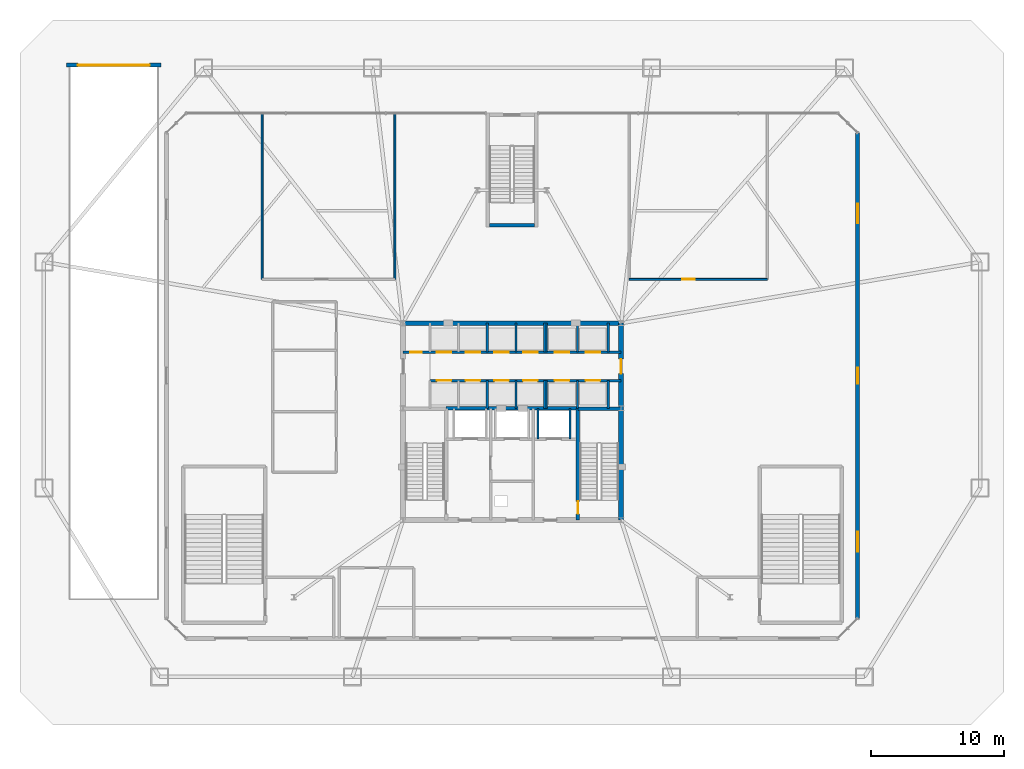
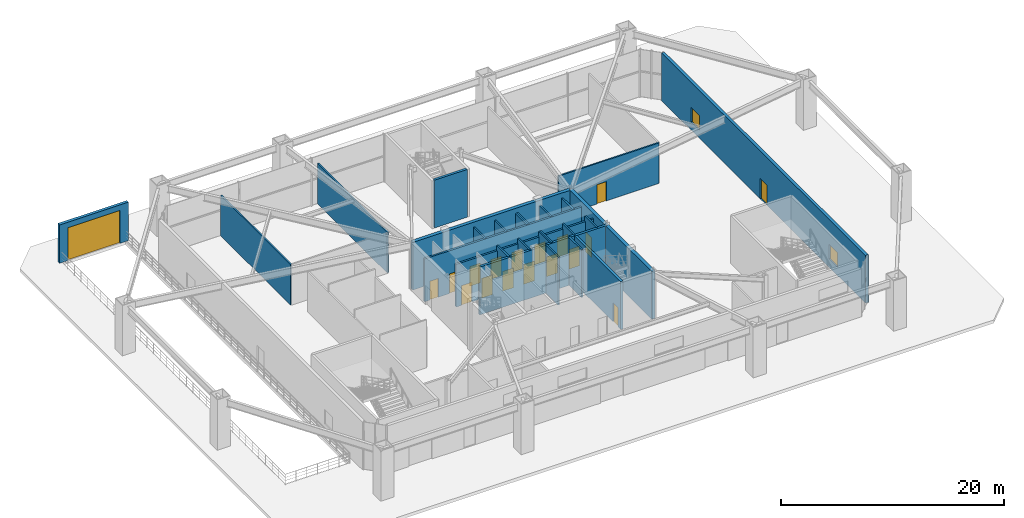
# One storey, part 16 of 20: 27 walls, 18 doors, 2 windows, 20 openings.
"""IFC4 building model written with IfcOpenShell, lengths in metres."""

import ifcopenshell
import ifcopenshell.guid

model = None  # the IFC model being written
_history = None  # IfcOwnerHistory: only IFC2X3 demands one
_inside = {}  # id of a spatial element -> (the spatial element, [elements in it])
_under = {}  # id of a project, library or spatial element -> (it, [spatial elements below it])
_declared = {}  # id of a project -> (the project, [libraries it declares])
_typed = {}  # id of a type object -> (the type object, [elements of that type])
_made_of = {}  # id of a material, layer set ... -> (it, [elements and type objects made of it])


def new_model(schema):
    """Start an empty IFC model of exactly this schema.

    Asked for "IFC4X3", IfcOpenShell would pick the latest addendum, in which some entities
    have other attributes; the version numbers below select the first issue.
    IFC2X3 requires an IfcOwnerHistory on every rooted entity: one is made here for all.
    """
    global model, _history
    if schema == "IFC4X3":
        model = ifcopenshell.file(schema_version=(4, 3, 0, 0))
    else:
        model = ifcopenshell.file(schema=schema)
    _inside.clear()
    _under.clear()
    _declared.clear()
    _typed.clear()
    _made_of.clear()
    _history = None
    if model.schema == "IFC2X3":
        org = make("IfcOrganization", Name="unknown")
        user = make(
            "IfcPersonAndOrganization",
            ThePerson=make("IfcPerson", FamilyName="unknown"),
            TheOrganization=org,
        )
        app = make(
            "IfcApplication",
            ApplicationDeveloper=org,
            Version="unknown",
            ApplicationFullName="unknown",
            ApplicationIdentifier="unknown",
        )
        _history = make(
            "IfcOwnerHistory",
            OwningUser=user,
            OwningApplication=app,
            ChangeAction="ADDED",
            CreationDate=0,
        )
    return model


def make(cls, **values):
    """One entity of the class cls with the attributes given. An attribute that is None is left unset."""
    return model.create_entity(
        cls, **{name: value for name, value in values.items() if value is not None}
    )


def rooted(cls, **values):
    """An entity with a GlobalId (a new one), such as an element, a storey or a relation."""
    return make(cls, GlobalId=ifcopenshell.guid.new(), OwnerHistory=_history, **values)


def si_unit(unit_type, name, prefix=None):
    """IfcSIUnit, for example si_unit("LENGTHUNIT", "METRE", prefix="MILLI")."""
    return make("IfcSIUnit", UnitType=unit_type, Prefix=prefix, Name=name)


def assignment(units):
    """IfcUnitAssignment: the units of a project."""
    return None if units is None else make("IfcUnitAssignment", Units=units)


def point(xyz):
    """IfcCartesianPoint."""
    return None if xyz is None else make("IfcCartesianPoint", Coordinates=xyz)


def direction(xyz):
    """IfcDirection."""
    return None if xyz is None else make("IfcDirection", DirectionRatios=xyz)


def frame(location, z_axis=None, x_axis=None):
    """IfcAxis2Placement3D, a coordinate frame: its origin and axes. An axis left out is left unset."""
    return make(
        "IfcAxis2Placement3D",
        Location=point(location),
        Axis=direction(z_axis),
        RefDirection=direction(x_axis),
    )


def frame_2d(location, x_axis=None):
    """IfcAxis2Placement2D, a coordinate frame in the plane: its origin and x axis."""
    return make(
        "IfcAxis2Placement2D", Location=point(location), RefDirection=direction(x_axis)
    )


def origin():
    """The frame at (0, 0, 0) with its axes left unset."""
    return frame((0.0, 0.0, 0.0))


def place(relative_to, where):
    """IfcLocalPlacement: puts the frame where relative to a parent placement (None: the world)."""
    return make(
        "IfcLocalPlacement", PlacementRelTo=relative_to, RelativePlacement=where
    )


def context(
    kind, dimensions, precision=None, world=None, true_north=None, identifier=None
):
    """IfcGeometricRepresentationContext, for example the 3D "Model" context."""
    return make(
        "IfcGeometricRepresentationContext",
        ContextIdentifier=identifier,
        ContextType=kind,
        CoordinateSpaceDimension=dimensions,
        Precision=precision,
        WorldCoordinateSystem=world,
        TrueNorth=true_north,
    )


def subcontext(parent, identifier, kind, view, scale=None):
    """IfcGeometricRepresentationSubContext, for example "Body" below "Model"."""
    return make(
        "IfcGeometricRepresentationSubContext",
        ContextIdentifier=identifier,
        ContextType=kind,
        ParentContext=parent,
        TargetScale=scale,
        TargetView=view,
    )


def project(units=None, contexts=None):
    """IfcProject with its units and contexts."""
    return rooted(
        "IfcProject",
        Name="project",
        RepresentationContexts=contexts,
        UnitsInContext=assignment(units),
    )


def spatial(cls, under=None, at=None, **own):
    """A site, building, storey or space (cls), placed at a placement, below another one or the project."""
    s = rooted(cls, ObjectPlacement=at, **own)
    if under is not None:
        _under.setdefault(under.id(), (under, []))[1].append(s)
    return s


def profile(cls, at=None, kind="AREA", **sizes):
    """A parametric profile (cls). Its sizes go by their IFC names, for example OverallWidth=200.0."""
    return make(cls, ProfileType=kind, Position=at, **sizes)


def rectangle(**sizes):
    """IfcRectangleProfileDef."""
    return profile("IfcRectangleProfileDef", **sizes)


def extrude(swept, where, along, depth):
    """IfcExtrudedAreaSolid: the profile swept, set in the frame where, extruded along a direction by depth."""
    return make(
        "IfcExtrudedAreaSolid",
        SweptArea=swept,
        Position=where,
        ExtrudedDirection=direction(along),
        Depth=depth,
    )


def shape(context_of_items, identifier, shape_type, items):
    """IfcShapeRepresentation: the items that make up one representation, for example the "Body"."""
    return make(
        "IfcShapeRepresentation",
        ContextOfItems=context_of_items,
        RepresentationIdentifier=identifier,
        RepresentationType=shape_type,
        Items=items,
    )


def material(Name=None, Category=None):
    """IfcMaterial."""
    return make("IfcMaterial", Name=Name, Category=Category)


def layer(
    of_material, thickness, ventilated=None, Name=None, Category=None, Priority=None
):
    """IfcMaterialLayer: one layer of a wall or slab, of a material (None: an air gap)."""
    return make(
        "IfcMaterialLayer",
        Material=of_material,
        LayerThickness=thickness,
        IsVentilated=ventilated,
        Name=Name,
        Category=Category,
        Priority=Priority,
    )


def layer_set(layers, Name=None):
    """IfcMaterialLayerSet."""
    return make("IfcMaterialLayerSet", MaterialLayers=layers, LayerSetName=Name)


def made_of(thing, what):
    """Note that an element or type object is made of a material, layer set ...; save() writes the relation."""
    if what is not None:
        _made_of.setdefault(what.id(), (what, []))[1].append(thing)
    return thing


def type_object(cls, material=None, **own):
    """A type object (cls), such as IfcWallType, which elements share."""
    return made_of(rooted(cls, **own), material)


def element(
    cls,
    number,
    at=None,
    inside=None,
    cuts=None,
    type_object=None,
    material=None,
    context=None,
    identifier="Body",
    shape_type=None,
    held_by="IfcProductDefinitionShape",
    body=None,
    shapes=None,
    **own,
):
    """One element of the class cls, such as IfcWall. Its Tag is "e" and its number.

    at: its placement. inside: the storey or other place that contains it. cuts: it is an
    opening in that element (IfcRelVoidsElement). A single representation is given by context,
    identifier, shape_type and body (its items); several are given by shapes. held_by: the class
    of the entity that holds the representations. save() writes the other relations.
    """
    e = rooted(cls, Tag="e%d" % number, ObjectPlacement=at, **own)
    if body is not None:
        shapes = [shape(context, identifier, shape_type, body)]
    if shapes is not None:
        e.Representation = make(held_by, Representations=shapes)
    if inside is not None:
        _inside.setdefault(inside.id(), (inside, []))[1].append(e)
    if cuts is not None:
        rooted(
            "IfcRelVoidsElement", RelatingBuildingElement=cuts, RelatedOpeningElement=e
        )
    if type_object is not None:
        _typed.setdefault(type_object.id(), (type_object, []))[1].append(e)
    return made_of(e, material)


def fill(opening, filler):
    """IfcRelFillsElement: the door or window that sits in an opening."""
    return rooted(
        "IfcRelFillsElement",
        RelatingOpeningElement=opening,
        RelatedBuildingElement=filler,
    )


def aggregate(whole, parts):
    """IfcRelAggregates: a whole, such as a stair, and the parts it consists of."""
    return rooted("IfcRelAggregates", RelatingObject=whole, RelatedObjects=parts)


def save(model, path):
    """Write the relations noted so far, then the file.

    IfcRelAggregates (storeys below a building ...), IfcRelContainedInSpatialStructure (elements
    in a storey), IfcRelDefinesByType, IfcRelAssociatesMaterial and IfcRelDeclares: one each for
    every whole, place, type object, material and project.
    """
    for whole, parts in _under.values():
        aggregate(whole, parts)
    for where, things in _inside.values():
        rooted(
            "IfcRelContainedInSpatialStructure",
            RelatedElements=things,
            RelatingStructure=where,
        )
    for kind, things in _typed.values():
        rooted("IfcRelDefinesByType", RelatedObjects=things, RelatingType=kind)
    for what, things in _made_of.values():
        rooted("IfcRelAssociatesMaterial", RelatedObjects=things, RelatingMaterial=what)
    for by, libraries in _declared.values():
        rooted("IfcRelDeclares", RelatingContext=by, RelatedDefinitions=libraries)
    model.write(path)


model = new_model("IFC4")

# Units and contexts
model_context = context("Model", 3, precision=1e-05, world=origin(), true_north=direction((0.0, 1.0)))
body_context = subcontext(model_context, "Body", "Model", "MODEL_VIEW")
ifc_project = project(units=[si_unit("LENGTHUNIT", "METRE"), si_unit("AREAUNIT", "SQUARE_METRE"), si_unit("VOLUMEUNIT", "CUBIC_METRE"), si_unit("PLANEANGLEUNIT", "RADIAN"), si_unit("MASSUNIT", "GRAM", prefix="KILO")], contexts=[model_context])

# Site, building, storey
site_placement = place(None, origin())
site = spatial("IfcSite", under=ifc_project, at=site_placement, CompositionType="ELEMENT")
building_placement = place(site_placement, origin())
building = spatial("IfcBuilding", under=site, at=building_placement, Name="Varakhsha Concourse Tower", CompositionType="ELEMENT")
storey_placement = place(building_placement, origin())
storey = spatial("IfcBuildingStorey", under=building, at=storey_placement, Name="L01", CompositionType="ELEMENT", Elevation=0.0)

# Wall
ifc_material_1 = material(Name="Concrete fc 65 MPa", Category="concrete")
ifc_layer_1 = layer(ifc_material_1, 0.35009765625, Name="WL-CORE-350")
ifc_layer_set_1 = layer_set([ifc_layer_1], Name="Concrete fc 65 MPa")
wall_type_1 = type_object("IfcWallType", Name="WL-CORE-350", PredefinedType="SHEAR", material=ifc_layer_set_1)
wall_1_placement = place(storey_placement, frame((31.800048828125, 31.199951171875, 0.0), z_axis=(0.0, 0.0, 1.0), x_axis=(1.0, 0.0, 0.0)))
element("IfcWall", 1, at=wall_1_placement, inside=storey, type_object=wall_type_1, Name="L01 Wall CWALL-N-L01", PredefinedType="SHEAR", context=body_context, shape_type="SweptSolid", body=[
    extrude(rectangle(XDim=16.39990234375, YDim=0.35009765625, at=frame_2d((8.199951171875, 0.0))), origin(), (0.0, 0.0, 1.0), 5.219970703125),
])

# Wall, opening, door
wall_2_placement = place(storey_placement, frame((48.199951171875, 16.39990234375, 0.0), z_axis=(0.0, 0.0, 1.0), x_axis=(0.0, 1.0, 0.0)))
wall_2 = element("IfcWall", 2, at=wall_2_placement, inside=storey, type_object=wall_type_1, Name="L01 Wall CWALL-E-L01", PredefinedType="SHEAR", context=body_context, shape_type="SweptSolid", body=[
    extrude(rectangle(XDim=14.800048828125, YDim=0.35009765625, at=frame_2d((7.39990234375, 0.0))), origin(), (0.0, 0.0, 1.0), 5.219970703125),
])
opening_1_placement = place(wall_2_placement, frame((11.0, 0.0, 0.0)))
opening_1 = element("IfcOpeningElement", 3, at=opening_1_placement, cuts=wall_2, Name="Opening DL-01", PredefinedType="OPENING", context=body_context, shape_type="SweptSolid", body=[
    extrude(rectangle(XDim=1.10009765625, YDim=2.14990234375, at=frame_2d((0.550048828125, 1.074951171875))), frame((0.0, 0.18505859375, 0.0), z_axis=(0.0, -1.0, 0.0), x_axis=(1.0, 0.0, 0.0)), (0.0, 0.0, 1.0), 0.3701171875),
])
ifc_material_2 = material(Name="Anodised Bronze Architectural Aluminium AA 6063-T6", Category="aluminium")
door_type_1 = type_object("IfcDoorType", Name="DR-LOB-1100", OperationType="NOTDEFINED", PredefinedType="DOOR", material=ifc_material_2)
door_1_placement = place(opening_1_placement, origin())
door_1 = element("IfcDoor", 4, at=door_1_placement, inside=storey, type_object=door_type_1, Name="L01 Lift Lobby East Concourse Door", OperationType="SINGLE_SWING_RIGHT", OverallHeight=2.14990234375, OverallWidth=1.10009765625, PredefinedType="DOOR", context=body_context, shape_type="SweptSolid", body=[
    extrude(rectangle(XDim=1.10009765625, YDim=2.14990234375, at=frame_2d((0.550048828125, 1.074951171875))), frame((0.0, 0.02490234375, 0.0), z_axis=(0.0, -1.0, 0.0), x_axis=(1.0, 0.0, 0.0)), (0.0, 0.0, 1.0), 0.050048828125),
])
fill(opening_1, door_1)

# Wall, openings, door, windows
ifc_material_3 = material(Name="Concrete fc 45 MPa", Category="concrete")
ifc_layer_2 = layer(ifc_material_3, 0.300048828125, Name="WL-EXT-POD-300")
ifc_layer_set_2 = layer_set([ifc_layer_2], Name="Concrete fc 45 MPa")
wall_type_2 = type_object("IfcWallType", Name="WL-EXT-POD-300", PredefinedType="STANDARD", material=ifc_layer_set_2)
wall_3_placement = place(storey_placement, frame((66.0, 9.0, 0.0), z_axis=(0.0, 0.0, 1.0), x_axis=(0.0, 1.0, 0.0)))
wall_3 = element("IfcWall", 5, at=wall_3_placement, inside=storey, type_object=wall_type_2, Name="L01 Concourse Architectural Wall 03", PredefinedType="STANDARD", context=body_context, shape_type="SweptSolid", body=[
    extrude(rectangle(XDim=36.5, YDim=0.300048828125, at=frame_2d((18.25, 0.0))), origin(), (0.0, 0.0, 1.0), 5.219970703125),
])
opening_2_placement = place(wall_3_placement, frame((17.64990234375, 0.0, 0.0)))
opening_2 = element("IfcOpeningElement", 6, at=opening_2_placement, cuts=wall_3, Name="Opening DX-01", PredefinedType="OPENING", context=body_context, shape_type="SweptSolid", body=[
    extrude(rectangle(XDim=1.199951171875, YDim=2.199951171875, at=frame_2d((0.60009765625, 1.10009765625))), frame((0.0, 0.159912109375, 0.0), z_axis=(0.0, -1.0, 0.0), x_axis=(1.0, 0.0, 0.0)), (0.0, 0.0, 1.0), 0.320068359375),
])
opening_3_placement = place(wall_3_placement, frame((5.0, 0.0, 0.89990234375)))
opening_3 = element("IfcOpeningElement", 7, at=opening_3_placement, cuts=wall_3, Name="Opening W-03", PredefinedType="OPENING", context=body_context, shape_type="SweptSolid", body=[
    extrude(rectangle(XDim=1.5, YDim=1.60009765625, at=frame_2d((0.75, 0.800048828125))), frame((0.0, 0.159912109375, 0.0), z_axis=(0.0, -1.0, 0.0), x_axis=(1.0, 0.0, 0.0)), (0.0, 0.0, 1.0), 0.320068359375),
])
opening_4_placement = place(wall_3_placement, frame((29.699951171875, 0.0, 0.89990234375)))
opening_4 = element("IfcOpeningElement", 8, at=opening_4_placement, cuts=wall_3, Name="Opening W-03", PredefinedType="OPENING", context=body_context, shape_type="SweptSolid", body=[
    extrude(rectangle(XDim=1.5, YDim=1.60009765625, at=frame_2d((0.75, 0.800048828125))), frame((0.0, 0.159912109375, 0.0), z_axis=(0.0, -1.0, 0.0), x_axis=(1.0, 0.0, 0.0)), (0.0, 0.0, 1.0), 0.320068359375),
])
door_type_2 = type_object("IfcDoorType", Name="DR-EXIT-1200", OperationType="NOTDEFINED", PredefinedType="DOOR", material=ifc_material_2)
door_2_placement = place(opening_2_placement, origin())
door_2 = element("IfcDoor", 9, at=door_2_placement, inside=storey, type_object=door_type_2, Name="L01 Concourse Side Egress Door 3", OperationType="SINGLE_SWING_LEFT", OverallHeight=2.199951171875, OverallWidth=1.199951171875, PredefinedType="DOOR", context=body_context, shape_type="SweptSolid", body=[
    extrude(rectangle(XDim=1.199951171875, YDim=2.199951171875, at=frame_2d((0.60009765625, 1.10009765625))), frame((0.0, 0.02490234375, 0.0), z_axis=(0.0, -1.0, 0.0), x_axis=(1.0, 0.0, 0.0)), (0.0, 0.0, 1.0), 0.050048828125),
])
fill(opening_2, door_2)
ifc_material_4 = material(Name="Low-E Triple Insulating Glass IGU 44 mm", Category="glass")
window_type = type_object("IfcWindowType", Name="WN-CORNER-1500", PartitioningType="SINGLE_PANEL", PredefinedType="WINDOW", material=ifc_material_4)
window_1_placement = place(opening_3_placement, origin())
window_1 = element("IfcWindow", 10, at=window_1_placement, inside=storey, type_object=window_type, Name="L01 Concourse Side Window 3-1", OverallHeight=1.60009765625, OverallWidth=1.5, PartitioningType="SINGLE_PANEL", PredefinedType="WINDOW", context=body_context, shape_type="SweptSolid", body=[
    extrude(rectangle(XDim=1.5, YDim=1.60009765625, at=frame_2d((0.75, 0.800048828125))), frame((0.0, 0.030029296875, 0.0), z_axis=(0.0, -1.0, 0.0), x_axis=(1.0, 0.0, 0.0)), (0.0, 0.0, 1.0), 0.06005859375),
])
fill(opening_3, window_1)
window_2_placement = place(opening_4_placement, origin())
window_2 = element("IfcWindow", 11, at=window_2_placement, inside=storey, type_object=window_type, Name="L01 Concourse Side Window 3-2", OverallHeight=1.60009765625, OverallWidth=1.5, PartitioningType="SINGLE_PANEL", PredefinedType="WINDOW", context=body_context, shape_type="SweptSolid", body=[
    extrude(rectangle(XDim=1.5, YDim=1.60009765625, at=frame_2d((0.75, 0.800048828125))), frame((0.0, 0.030029296875, 0.0), z_axis=(0.0, -1.0, 0.0), x_axis=(1.0, 0.0, 0.0)), (0.0, 0.0, 1.0), 0.06005859375),
])
fill(opening_4, window_2)

# Wall, opening, door
wall_4_placement = place(storey_placement, frame((6.5, 50.60009765625, 0.0), z_axis=(0.0, 0.0, 1.0), x_axis=(1.0, 0.0, 0.0)))
wall_4 = element("IfcWall", 12, at=wall_4_placement, inside=storey, type_object=wall_type_2, Name="Vehicle Ramp Grade Portal Wall", PredefinedType="STANDARD", context=body_context, shape_type="SweptSolid", body=[
    extrude(rectangle(XDim=7.10009765625, YDim=0.300048828125, at=frame_2d((3.550048828125, 0.0))), origin(), (0.0, 0.0, 1.0), 4.199951171875),
])
opening_5_placement = place(wall_4_placement, frame((0.85009765625, 0.0, 0.0)))
opening_5 = element("IfcOpeningElement", 13, at=opening_5_placement, cuts=wall_4, Name="Opening RS-01", PredefinedType="OPENING", context=body_context, shape_type="SweptSolid", body=[
    extrude(rectangle(XDim=5.39990234375, YDim=3.60009765625, at=frame_2d((2.699951171875, 1.800048828125))), frame((0.0, 0.159912109375, 0.0), z_axis=(0.0, -1.0, 0.0), x_axis=(1.0, 0.0, 0.0)), (0.0, 0.0, 1.0), 0.320068359375),
])
door_type_3 = type_object("IfcDoorType", Name="DR-GATE-5400", OperationType="ROLLINGUP", PredefinedType="GATE", material=ifc_material_2)
door_3_placement = place(opening_5_placement, origin())
door_3 = element("IfcDoor", 14, at=door_3_placement, inside=storey, type_object=door_type_3, Name="Parking Ramp Roller-Shutter Gate RS-01", OperationType="SINGLE_SWING_LEFT", OverallHeight=3.60009765625, OverallWidth=5.39990234375, PredefinedType="GATE", context=body_context, shape_type="SweptSolid", body=[
    extrude(rectangle(XDim=5.39990234375, YDim=3.60009765625, at=frame_2d((2.699951171875, 1.800048828125))), frame((0.0, 0.02490234375, 0.0), z_axis=(0.0, -1.0, 0.0), x_axis=(1.0, 0.0, 0.0)), (0.0, 0.0, 1.0), 0.050048828125),
])
fill(opening_5, door_3)

# Walls
ifc_material_5 = material(Name="Fire-Rated Type X Gypsum Partition Assembly", Category="gypsum")
ifc_layer_3 = layer(ifc_material_5, 0.14990234375, Name="WL-PART-150")
ifc_layer_set_3 = layer_set([ifc_layer_3], Name="Fire-Rated Type X Gypsum Partition Assembly")
wall_type_3 = type_object("IfcWallType", Name="WL-PART-150", PredefinedType="PARTITIONING", material=ifc_layer_set_3)
for number, where, z_axis, x_axis, name in (
    (15, (21.199951171875, 34.5, 0.0), (0.0, 0.0, 1.0), (0.0, 1.0, 0.0), "L01 Wall L01-RET1-W"),
    (16, (31.199951171875, 34.5, 0.0), (0.0, 0.0, 1.0), (0.0, 1.0, 0.0), "L01 Wall L01W-RET1-B"),
):
    element("IfcWall", number, at=place(storey_placement, frame(where, z_axis=z_axis, x_axis=x_axis)), inside=storey, type_object=wall_type_3, Name=name, PredefinedType="PARTITIONING", context=body_context, shape_type="SweptSolid", body=[
        extrude(rectangle(XDim=12.4599609375, YDim=0.14990234375, at=frame_2d((6.22998046875, 0.0))), origin(), (0.0, 0.0, 1.0), 4.430908203125),
    ])

# Wall, opening, door
wall_5_placement = place(storey_placement, frame((48.800048828125, 34.5, 0.0), z_axis=(0.0, 0.0, 1.0), x_axis=(1.0, 0.0, 0.0)))
wall_5 = element("IfcWall", 17, at=wall_5_placement, inside=storey, type_object=wall_type_3, Name="L01 Wall L01W-RET2-A", PredefinedType="PARTITIONING", context=body_context, shape_type="SweptSolid", body=[
    extrude(rectangle(XDim=10.39990234375, YDim=0.14990234375, at=frame_2d((5.199951171875, 0.0))), origin(), (0.0, 0.0, 1.0), 4.430908203125),
])
opening_6_placement = place(wall_5_placement, frame((4.0, 0.0, 0.0)))
opening_6 = element("IfcOpeningElement", 18, at=opening_6_placement, cuts=wall_5, Name="Opening DF-05", PredefinedType="OPENING", context=body_context, shape_type="SweptSolid", body=[
    extrude(rectangle(XDim=0.949951171875, YDim=2.10009765625, at=frame_2d((0.47509765625, 1.050048828125))), frame((0.0, 0.0849609375, 0.0), z_axis=(0.0, -1.0, 0.0), x_axis=(1.0, 0.0, 0.0)), (0.0, 0.0, 1.0), 0.169921875),
])
ifc_material_6 = material(Name="Hollow Galvanised Steel Fire Door Assembly", Category="steel")
door_type_4 = type_object("IfcDoorType", Name="DR-FD60-950", OperationType="NOTDEFINED", PredefinedType="DOOR", material=ifc_material_6)
door_4_placement = place(opening_6_placement, origin())
door_4 = element("IfcDoor", 19, at=door_4_placement, inside=storey, type_object=door_type_4, Name="L01 Champa Concourse Cafe and Retail Door", OperationType="SINGLE_SWING_LEFT", OverallHeight=2.10009765625, OverallWidth=0.949951171875, PredefinedType="DOOR", context=body_context, shape_type="SweptSolid", body=[
    extrude(rectangle(XDim=0.949951171875, YDim=2.10009765625, at=frame_2d((0.47509765625, 1.050048828125))), frame((0.0, 0.02490234375, 0.0), z_axis=(0.0, -1.0, 0.0), x_axis=(1.0, 0.0, 0.0)), (0.0, 0.0, 1.0), 0.050048828125),
])
fill(opening_6, door_4)

# Walls
ifc_layer_4 = layer(ifc_material_5, 0.199951171875, Name="WL-SHAFT-220")
ifc_layer_set_4 = layer_set([ifc_layer_4], Name="Fire-Rated Type X Gypsum Partition Assembly")
wall_type_4 = type_object("IfcWallType", Name="WL-SHAFT-220", PredefinedType="SOLIDWALL", material=ifc_layer_set_4)
for number, where, z_axis, x_axis, name in (
    (20, (41.949951171875, 22.47998046875, 0.0), (0.0, 0.0, 1.0), (0.0, 1.0, 0.0), "L01 Wall SHW-FFL-2-W-L01"),
    (21, (44.35009765625, 22.47998046875, 0.0), (0.0, 0.0, 1.0), (0.0, 1.0, 0.0), "L01 Wall SHW-FFL-2-E-L01"),
):
    element("IfcWall", number, at=place(storey_placement, frame(where, z_axis=z_axis, x_axis=x_axis)), inside=storey, type_object=wall_type_4, Name=name, PredefinedType="SOLIDWALL", context=body_context, shape_type="SweptSolid", body=[
        extrude(rectangle(XDim=2.320068359375, YDim=0.159912109375, at=frame_2d((1.16015625, 0.0))), origin(), (0.0, 0.0, 1.0), 5.219970703125),
    ])

# Wall, openings, doors
wall_6_placement = place(storey_placement, frame((31.800048828125, 29.02001953125, 0.0), z_axis=(0.0, 0.0, 1.0), x_axis=(1.0, 0.0, 0.0)))
wall_6 = element("IfcWall", 22, at=wall_6_placement, inside=storey, type_object=wall_type_4, Name="L01 Wall PLW-N-L01", PredefinedType="SOLIDWALL", context=body_context, shape_type="SweptSolid", body=[
    extrude(rectangle(XDim=16.39990234375, YDim=0.199951171875, at=frame_2d((8.199951171875, 0.0))), origin(), (0.0, 0.0, 1.0), 4.6708984375),
])
opening_7_placement = place(wall_6_placement, frame((0.550048828125, 0.0, 0.0)))
opening_7 = element("IfcOpeningElement", 23, at=opening_7_placement, cuts=wall_6, Name="Opening DF-07", PredefinedType="OPENING", context=body_context, shape_type="SweptSolid", body=[
    extrude(rectangle(XDim=0.85009765625, YDim=2.050048828125, at=frame_2d((0.425048828125, 1.02490234375))), frame((0.0, 0.10986328125, 0.0), z_axis=(0.0, -1.0, 0.0), x_axis=(1.0, 0.0, 0.0)), (0.0, 0.0, 1.0), 0.219970703125),
])
opening_8_placement = place(wall_6_placement, frame((2.550048828125, 0.0, 0.0)))
opening_8 = element("IfcOpeningElement", 24, at=opening_8_placement, cuts=wall_6, Name="Opening LD-LF-P01", PredefinedType="OPENING", context=body_context, shape_type="SweptSolid", body=[
    extrude(rectangle(XDim=1.10009765625, YDim=2.14990234375, at=frame_2d((0.550048828125, 1.074951171875))), frame((0.0, 0.10986328125, 0.0), z_axis=(0.0, -1.0, 0.0), x_axis=(1.0, 0.0, 0.0)), (0.0, 0.0, 1.0), 0.219970703125),
])
opening_9_placement = place(wall_6_placement, frame((4.7099609375, 0.0, 0.0)))
opening_9 = element("IfcOpeningElement", 25, at=opening_9_placement, cuts=wall_6, Name="Opening LD-LF-P02", PredefinedType="OPENING", context=body_context, shape_type="SweptSolid", body=[
    extrude(rectangle(XDim=1.10009765625, YDim=2.14990234375, at=frame_2d((0.550048828125, 1.074951171875))), frame((0.0, 0.10986328125, 0.0), z_axis=(0.0, -1.0, 0.0), x_axis=(1.0, 0.0, 0.0)), (0.0, 0.0, 1.0), 0.219970703125),
])
opening_10_placement = place(wall_6_placement, frame((6.8701171875, 0.0, 0.0)))
opening_10 = element("IfcOpeningElement", 26, at=opening_10_placement, cuts=wall_6, Name="Opening LD-LF-P03", PredefinedType="OPENING", context=body_context, shape_type="SweptSolid", body=[
    extrude(rectangle(XDim=1.10009765625, YDim=2.14990234375, at=frame_2d((0.550048828125, 1.074951171875))), frame((0.0, 0.10986328125, 0.0), z_axis=(0.0, -1.0, 0.0), x_axis=(1.0, 0.0, 0.0)), (0.0, 0.0, 1.0), 0.219970703125),
])
opening_11_placement = place(wall_6_placement, frame((9.030029296875, 0.0, 0.0)))
opening_11 = element("IfcOpeningElement", 27, at=opening_11_placement, cuts=wall_6, Name="Opening LD-LF-P04", PredefinedType="OPENING", context=body_context, shape_type="SweptSolid", body=[
    extrude(rectangle(XDim=1.10009765625, YDim=2.14990234375, at=frame_2d((0.550048828125, 1.074951171875))), frame((0.0, 0.10986328125, 0.0), z_axis=(0.0, -1.0, 0.0), x_axis=(1.0, 0.0, 0.0)), (0.0, 0.0, 1.0), 0.219970703125),
])
opening_12_placement = place(wall_6_placement, frame((11.409912109375, 0.0, 0.0)))
opening_12 = element("IfcOpeningElement", 28, at=opening_12_placement, cuts=wall_6, Name="Opening LD-LF-P09", PredefinedType="OPENING", context=body_context, shape_type="SweptSolid", body=[
    extrude(rectangle(XDim=1.10009765625, YDim=2.14990234375, at=frame_2d((0.550048828125, 1.074951171875))), frame((0.0, 0.10986328125, 0.0), z_axis=(0.0, -1.0, 0.0), x_axis=(1.0, 0.0, 0.0)), (0.0, 0.0, 1.0), 0.219970703125),
])
opening_13_placement = place(wall_6_placement, frame((13.72998046875, 0.0, 0.0)))
opening_13 = element("IfcOpeningElement", 29, at=opening_13_placement, cuts=wall_6, Name="Opening LD-LF-P10", PredefinedType="OPENING", context=body_context, shape_type="SweptSolid", body=[
    extrude(rectangle(XDim=1.10009765625, YDim=2.14990234375, at=frame_2d((0.550048828125, 1.074951171875))), frame((0.0, 0.10986328125, 0.0), z_axis=(0.0, -1.0, 0.0), x_axis=(1.0, 0.0, 0.0)), (0.0, 0.0, 1.0), 0.219970703125),
])
door_type_5 = type_object("IfcDoorType", Name="DR-FD60-850", OperationType="NOTDEFINED", PredefinedType="DOOR", material=ifc_material_6)
door_5_placement = place(opening_7_placement, origin())
door_5 = element("IfcDoor", 30, at=door_5_placement, inside=storey, type_object=door_type_5, Name="L01 Core Janitor Closet Door", OperationType="SINGLE_SWING_LEFT", OverallHeight=2.050048828125, OverallWidth=0.85009765625, PredefinedType="DOOR", context=body_context, shape_type="SweptSolid", body=[
    extrude(rectangle(XDim=0.85009765625, YDim=2.050048828125, at=frame_2d((0.425048828125, 1.02490234375))), frame((0.0, 0.02490234375, 0.0), z_axis=(0.0, -1.0, 0.0), x_axis=(1.0, 0.0, 0.0)), (0.0, 0.0, 1.0), 0.050048828125),
])
fill(opening_7, door_5)
ifc_material_7 = material(Name="Brushed Austenitic Stainless Steel AISI 316", Category="steel")
door_type_6 = type_object("IfcDoorType", Name="DR-LD-1100", OperationType="DOUBLE_DOOR_SLIDING", PredefinedType="DOOR", material=ifc_material_7)
door_6_placement = place(opening_8_placement, origin())
door_6 = element("IfcDoor", 31, at=door_6_placement, inside=storey, type_object=door_type_6, Name="Lift Landing Door LF-P01 L01", OperationType="DOUBLE_DOOR_SLIDING", OverallHeight=2.14990234375, OverallWidth=1.10009765625, PredefinedType="DOOR", context=body_context, shape_type="SweptSolid", body=[
    extrude(rectangle(XDim=1.10009765625, YDim=2.14990234375, at=frame_2d((0.550048828125, 1.074951171875))), frame((0.0, 0.02490234375, 0.0), z_axis=(0.0, -1.0, 0.0), x_axis=(1.0, 0.0, 0.0)), (0.0, 0.0, 1.0), 0.050048828125),
])
fill(opening_8, door_6)
door_7_placement = place(opening_9_placement, origin())
door_7 = element("IfcDoor", 32, at=door_7_placement, inside=storey, type_object=door_type_6, Name="Lift Landing Door LF-P02 L01", OperationType="DOUBLE_DOOR_SLIDING", OverallHeight=2.14990234375, OverallWidth=1.10009765625, PredefinedType="DOOR", context=body_context, shape_type="SweptSolid", body=[
    extrude(rectangle(XDim=1.10009765625, YDim=2.14990234375, at=frame_2d((0.550048828125, 1.074951171875))), frame((0.0, 0.02490234375, 0.0), z_axis=(0.0, -1.0, 0.0), x_axis=(1.0, 0.0, 0.0)), (0.0, 0.0, 1.0), 0.050048828125),
])
fill(opening_9, door_7)
door_8_placement = place(opening_10_placement, origin())
door_8 = element("IfcDoor", 33, at=door_8_placement, inside=storey, type_object=door_type_6, Name="Lift Landing Door LF-P03 L01", OperationType="DOUBLE_DOOR_SLIDING", OverallHeight=2.14990234375, OverallWidth=1.10009765625, PredefinedType="DOOR", context=body_context, shape_type="SweptSolid", body=[
    extrude(rectangle(XDim=1.10009765625, YDim=2.14990234375, at=frame_2d((0.550048828125, 1.074951171875))), frame((0.0, 0.02490234375, 0.0), z_axis=(0.0, -1.0, 0.0), x_axis=(1.0, 0.0, 0.0)), (0.0, 0.0, 1.0), 0.050048828125),
])
fill(opening_10, door_8)
door_9_placement = place(opening_11_placement, origin())
door_9 = element("IfcDoor", 34, at=door_9_placement, inside=storey, type_object=door_type_6, Name="Lift Landing Door LF-P04 L01", OperationType="DOUBLE_DOOR_SLIDING", OverallHeight=2.14990234375, OverallWidth=1.10009765625, PredefinedType="DOOR", context=body_context, shape_type="SweptSolid", body=[
    extrude(rectangle(XDim=1.10009765625, YDim=2.14990234375, at=frame_2d((0.550048828125, 1.074951171875))), frame((0.0, 0.02490234375, 0.0), z_axis=(0.0, -1.0, 0.0), x_axis=(1.0, 0.0, 0.0)), (0.0, 0.0, 1.0), 0.050048828125),
])
fill(opening_11, door_9)
door_10_placement = place(opening_12_placement, origin())
door_10 = element("IfcDoor", 35, at=door_10_placement, inside=storey, type_object=door_type_6, Name="Lift Landing Door LF-P09 L01", OperationType="DOUBLE_DOOR_SLIDING", OverallHeight=2.14990234375, OverallWidth=1.10009765625, PredefinedType="DOOR", context=body_context, shape_type="SweptSolid", body=[
    extrude(rectangle(XDim=1.10009765625, YDim=2.14990234375, at=frame_2d((0.550048828125, 1.074951171875))), frame((0.0, 0.02490234375, 0.0), z_axis=(0.0, -1.0, 0.0), x_axis=(1.0, 0.0, 0.0)), (0.0, 0.0, 1.0), 0.050048828125),
])
fill(opening_12, door_10)
door_11_placement = place(opening_13_placement, origin())
door_11 = element("IfcDoor", 36, at=door_11_placement, inside=storey, type_object=door_type_6, Name="Lift Landing Door LF-P10 L01", OperationType="DOUBLE_DOOR_SLIDING", OverallHeight=2.14990234375, OverallWidth=1.10009765625, PredefinedType="DOOR", context=body_context, shape_type="SweptSolid", body=[
    extrude(rectangle(XDim=1.10009765625, YDim=2.14990234375, at=frame_2d((0.550048828125, 1.074951171875))), frame((0.0, 0.02490234375, 0.0), z_axis=(0.0, -1.0, 0.0), x_axis=(1.0, 0.0, 0.0)), (0.0, 0.0, 1.0), 0.050048828125),
])
fill(opening_13, door_11)

wall_7_placement = place(storey_placement, frame((33.820068359375, 26.8798828125, 0.0), z_axis=(0.0, 0.0, 1.0), x_axis=(1.0, 0.0, 0.0)))
wall_7 = element("IfcWall", 37, at=wall_7_placement, inside=storey, type_object=wall_type_4, Name="L01 Wall PLW-S-L01", PredefinedType="SOLIDWALL", context=body_context, shape_type="SweptSolid", body=[
    extrude(rectangle(XDim=14.3798828125, YDim=0.199951171875, at=frame_2d((7.18994140625, 0.0))), origin(), (0.0, 0.0, 1.0), 4.6708984375),
])
opening_14_placement = place(wall_7_placement, frame((0.530029296875, 0.0, 0.0)))
opening_14 = element("IfcOpeningElement", 38, at=opening_14_placement, cuts=wall_7, Name="Opening LD-LF-P05", PredefinedType="OPENING", context=body_context, shape_type="SweptSolid", body=[
    extrude(rectangle(XDim=1.10009765625, YDim=2.14990234375, at=frame_2d((0.550048828125, 1.074951171875))), frame((0.0, 0.10986328125, 0.0), z_axis=(0.0, -1.0, 0.0), x_axis=(1.0, 0.0, 0.0)), (0.0, 0.0, 1.0), 0.219970703125),
])
opening_15_placement = place(wall_7_placement, frame((2.68994140625, 0.0, 0.0)))
opening_15 = element("IfcOpeningElement", 39, at=opening_15_placement, cuts=wall_7, Name="Opening LD-LF-P06", PredefinedType="OPENING", context=body_context, shape_type="SweptSolid", body=[
    extrude(rectangle(XDim=1.10009765625, YDim=2.14990234375, at=frame_2d((0.550048828125, 1.074951171875))), frame((0.0, 0.10986328125, 0.0), z_axis=(0.0, -1.0, 0.0), x_axis=(1.0, 0.0, 0.0)), (0.0, 0.0, 1.0), 0.219970703125),
])
opening_16_placement = place(wall_7_placement, frame((4.85009765625, 0.0, 0.0)))
opening_16 = element("IfcOpeningElement", 40, at=opening_16_placement, cuts=wall_7, Name="Opening LD-LF-P07", PredefinedType="OPENING", context=body_context, shape_type="SweptSolid", body=[
    extrude(rectangle(XDim=1.10009765625, YDim=2.14990234375, at=frame_2d((0.550048828125, 1.074951171875))), frame((0.0, 0.10986328125, 0.0), z_axis=(0.0, -1.0, 0.0), x_axis=(1.0, 0.0, 0.0)), (0.0, 0.0, 1.0), 0.219970703125),
])
opening_17_placement = place(wall_7_placement, frame((7.010009765625, 0.0, 0.0)))
opening_17 = element("IfcOpeningElement", 41, at=opening_17_placement, cuts=wall_7, Name="Opening LD-LF-P08", PredefinedType="OPENING", context=body_context, shape_type="SweptSolid", body=[
    extrude(rectangle(XDim=1.10009765625, YDim=2.14990234375, at=frame_2d((0.550048828125, 1.074951171875))), frame((0.0, 0.10986328125, 0.0), z_axis=(0.0, -1.0, 0.0), x_axis=(1.0, 0.0, 0.0)), (0.0, 0.0, 1.0), 0.219970703125),
])
opening_18_placement = place(wall_7_placement, frame((9.389892578125, 0.0, 0.0)))
opening_18 = element("IfcOpeningElement", 42, at=opening_18_placement, cuts=wall_7, Name="Opening LD-LF-P11", PredefinedType="OPENING", context=body_context, shape_type="SweptSolid", body=[
    extrude(rectangle(XDim=1.10009765625, YDim=2.14990234375, at=frame_2d((0.550048828125, 1.074951171875))), frame((0.0, 0.10986328125, 0.0), z_axis=(0.0, -1.0, 0.0), x_axis=(1.0, 0.0, 0.0)), (0.0, 0.0, 1.0), 0.219970703125),
])
opening_19_placement = place(wall_7_placement, frame((11.7099609375, 0.0, 0.0)))
opening_19 = element("IfcOpeningElement", 43, at=opening_19_placement, cuts=wall_7, Name="Opening LD-LF-P12", PredefinedType="OPENING", context=body_context, shape_type="SweptSolid", body=[
    extrude(rectangle(XDim=1.10009765625, YDim=2.14990234375, at=frame_2d((0.550048828125, 1.074951171875))), frame((0.0, 0.10986328125, 0.0), z_axis=(0.0, -1.0, 0.0), x_axis=(1.0, 0.0, 0.0)), (0.0, 0.0, 1.0), 0.219970703125),
])
door_12_placement = place(opening_14_placement, origin())
door_12 = element("IfcDoor", 44, at=door_12_placement, inside=storey, type_object=door_type_6, Name="Lift Landing Door LF-P05 L01", OperationType="DOUBLE_DOOR_SLIDING", OverallHeight=2.14990234375, OverallWidth=1.10009765625, PredefinedType="DOOR", context=body_context, shape_type="SweptSolid", body=[
    extrude(rectangle(XDim=1.10009765625, YDim=2.14990234375, at=frame_2d((0.550048828125, 1.074951171875))), frame((0.0, 0.02490234375, 0.0), z_axis=(0.0, -1.0, 0.0), x_axis=(1.0, 0.0, 0.0)), (0.0, 0.0, 1.0), 0.050048828125),
])
fill(opening_14, door_12)
door_13_placement = place(opening_15_placement, origin())
door_13 = element("IfcDoor", 45, at=door_13_placement, inside=storey, type_object=door_type_6, Name="Lift Landing Door LF-P06 L01", OperationType="DOUBLE_DOOR_SLIDING", OverallHeight=2.14990234375, OverallWidth=1.10009765625, PredefinedType="DOOR", context=body_context, shape_type="SweptSolid", body=[
    extrude(rectangle(XDim=1.10009765625, YDim=2.14990234375, at=frame_2d((0.550048828125, 1.074951171875))), frame((0.0, 0.02490234375, 0.0), z_axis=(0.0, -1.0, 0.0), x_axis=(1.0, 0.0, 0.0)), (0.0, 0.0, 1.0), 0.050048828125),
])
fill(opening_15, door_13)
door_14_placement = place(opening_16_placement, origin())
door_14 = element("IfcDoor", 46, at=door_14_placement, inside=storey, type_object=door_type_6, Name="Lift Landing Door LF-P07 L01", OperationType="DOUBLE_DOOR_SLIDING", OverallHeight=2.14990234375, OverallWidth=1.10009765625, PredefinedType="DOOR", context=body_context, shape_type="SweptSolid", body=[
    extrude(rectangle(XDim=1.10009765625, YDim=2.14990234375, at=frame_2d((0.550048828125, 1.074951171875))), frame((0.0, 0.02490234375, 0.0), z_axis=(0.0, -1.0, 0.0), x_axis=(1.0, 0.0, 0.0)), (0.0, 0.0, 1.0), 0.050048828125),
])
fill(opening_16, door_14)
door_15_placement = place(opening_17_placement, origin())
door_15 = element("IfcDoor", 47, at=door_15_placement, inside=storey, type_object=door_type_6, Name="Lift Landing Door LF-P08 L01", OperationType="DOUBLE_DOOR_SLIDING", OverallHeight=2.14990234375, OverallWidth=1.10009765625, PredefinedType="DOOR", context=body_context, shape_type="SweptSolid", body=[
    extrude(rectangle(XDim=1.10009765625, YDim=2.14990234375, at=frame_2d((0.550048828125, 1.074951171875))), frame((0.0, 0.02490234375, 0.0), z_axis=(0.0, -1.0, 0.0), x_axis=(1.0, 0.0, 0.0)), (0.0, 0.0, 1.0), 0.050048828125),
])
fill(opening_17, door_15)
door_16_placement = place(opening_18_placement, origin())
door_16 = element("IfcDoor", 48, at=door_16_placement, inside=storey, type_object=door_type_6, Name="Lift Landing Door LF-P11 L01", OperationType="DOUBLE_DOOR_SLIDING", OverallHeight=2.14990234375, OverallWidth=1.10009765625, PredefinedType="DOOR", context=body_context, shape_type="SweptSolid", body=[
    extrude(rectangle(XDim=1.10009765625, YDim=2.14990234375, at=frame_2d((0.550048828125, 1.074951171875))), frame((0.0, 0.02490234375, 0.0), z_axis=(0.0, -1.0, 0.0), x_axis=(1.0, 0.0, 0.0)), (0.0, 0.0, 1.0), 0.050048828125),
])
fill(opening_18, door_16)
door_17_placement = place(opening_19_placement, origin())
door_17 = element("IfcDoor", 49, at=door_17_placement, inside=storey, type_object=door_type_6, Name="Lift Landing Door LF-P12 L01", OperationType="DOUBLE_DOOR_SLIDING", OverallHeight=2.14990234375, OverallWidth=1.10009765625, PredefinedType="DOOR", context=body_context, shape_type="SweptSolid", body=[
    extrude(rectangle(XDim=1.10009765625, YDim=2.14990234375, at=frame_2d((0.550048828125, 1.074951171875))), frame((0.0, 0.02490234375, 0.0), z_axis=(0.0, -1.0, 0.0), x_axis=(1.0, 0.0, 0.0)), (0.0, 0.0, 1.0), 0.050048828125),
])
fill(opening_19, door_17)

# Walls
for number, where, z_axis, x_axis, name in (
    (50, (38.139892578125, 29.02001953125, 0.0), (0.0, 0.0, 1.0), (0.0, 1.0, 0.0), "L01 Wall SHW-LF-P02-E-L01"),
    (51, (40.300048828125, 29.02001953125, 0.0), (0.0, 0.0, 1.0), (0.0, 1.0, 0.0), "L01 Wall SHW-LF-P03-E-L01"),
    (52, (42.4599609375, 29.02001953125, 0.0), (0.0, 0.0, 1.0), (0.0, 1.0, 0.0), "L01 Wall SHW-LF-P04-E-L01"),
):
    element("IfcWall", number, at=place(storey_placement, frame(where, z_axis=z_axis, x_axis=x_axis)), inside=storey, type_object=wall_type_4, Name=name, PredefinedType="SOLIDWALL", context=body_context, shape_type="SweptSolid", body=[
        extrude(rectangle(XDim=2.179931640625, YDim=0.159912109375, at=frame_2d((1.08984375, 0.0))), origin(), (0.0, 0.0, 1.0), 4.6708984375),
    ])
for number, where, z_axis, x_axis, name in (
    (53, (38.139892578125, 24.800048828125, 0.0), (0.0, 0.0, 1.0), (0.0, 1.0, 0.0), "L01 Wall SHW-LF-P06-E-L01"),
    (54, (40.300048828125, 24.800048828125, 0.0), (0.0, 0.0, 1.0), (0.0, 1.0, 0.0), "L01 Wall SHW-LF-P07-E-L01"),
    (55, (42.4599609375, 24.800048828125, 0.0), (0.0, 0.0, 1.0), (0.0, 1.0, 0.0), "L01 Wall SHW-LF-P08-E-L01"),
):
    element("IfcWall", number, at=place(storey_placement, frame(where, z_axis=z_axis, x_axis=x_axis)), inside=storey, type_object=wall_type_4, Name=name, PredefinedType="SOLIDWALL", context=body_context, shape_type="SweptSolid", body=[
        extrude(rectangle(XDim=2.079833984375, YDim=0.159912109375, at=frame_2d((1.0400390625, 0.0))), origin(), (0.0, 0.0, 1.0), 5.219970703125),
    ])
for number, where, z_axis, x_axis, name in (
    (56, (42.60009765625, 29.02001953125, 0.0), (0.0, 0.0, 1.0), (0.0, 1.0, 0.0), "L01 Wall SHW-LF-P09-W-L01"),
    (57, (44.919921875, 29.02001953125, 0.0), (0.0, 0.0, 1.0), (0.0, 1.0, 0.0), "L01 Wall SHW-LF-P09-E-L01"),
    (58, (47.239990234375, 29.02001953125, 0.0), (0.0, 0.0, 1.0), (0.0, 1.0, 0.0), "L01 Wall SHW-LF-P10-E-L01"),
):
    element("IfcWall", number, at=place(storey_placement, frame(where, z_axis=z_axis, x_axis=x_axis)), inside=storey, type_object=wall_type_4, Name=name, PredefinedType="SOLIDWALL", context=body_context, shape_type="SweptSolid", body=[
        extrude(rectangle(XDim=2.179931640625, YDim=0.159912109375, at=frame_2d((1.08984375, 0.0))), origin(), (0.0, 0.0, 1.0), 4.6708984375),
    ])
for number, where, z_axis, x_axis, name in (
    (59, (42.60009765625, 24.800048828125, 0.0), (0.0, 0.0, 1.0), (0.0, 1.0, 0.0), "L01 Wall SHW-LF-P11-W-L01"),
    (60, (44.919921875, 24.800048828125, 0.0), (0.0, 0.0, 1.0), (0.0, 1.0, 0.0), "L01 Wall SHW-LF-P11-E-L01"),
    (61, (47.239990234375, 24.800048828125, 0.0), (0.0, 0.0, 1.0), (0.0, 1.0, 0.0), "L01 Wall SHW-LF-P12-E-L01"),
):
    element("IfcWall", number, at=place(storey_placement, frame(where, z_axis=z_axis, x_axis=x_axis)), inside=storey, type_object=wall_type_4, Name=name, PredefinedType="SOLIDWALL", context=body_context, shape_type="SweptSolid", body=[
        extrude(rectangle(XDim=2.079833984375, YDim=0.159912109375, at=frame_2d((1.0400390625, 0.0))), origin(), (0.0, 0.0, 1.0), 5.219970703125),
    ])

# Wall, opening, door
ifc_layer_5 = layer(ifc_material_3, 0.25, Name="WL-STAIR-250")
ifc_layer_set_5 = layer_set([ifc_layer_5], Name="Concrete fc 45 MPa")
wall_type_5 = type_object("IfcWallType", Name="WL-STAIR-250", PredefinedType="SHEAR", material=ifc_layer_set_5)
wall_8_placement = place(storey_placement, frame((44.955078125, 16.39990234375, 0.0), z_axis=(0.0, 0.0, 1.0), x_axis=(0.0, 1.0, 0.0)))
wall_8 = element("IfcWall", 62, at=wall_8_placement, inside=storey, type_object=wall_type_5, Name="L01 Wall SWALL-ST2-W-L01", PredefinedType="SHEAR", context=body_context, shape_type="SweptSolid", body=[
    extrude(rectangle(XDim=8.400146484375, YDim=0.25, at=frame_2d((4.2001953125, 0.0))), origin(), (0.0, 0.0, 1.0), 5.219970703125),
])
opening_20_placement = place(wall_8_placement, frame((0.449951171875, 0.0, 0.0)))
opening_20 = element("IfcOpeningElement", 63, at=opening_20_placement, cuts=wall_8, Name="Opening DF-03", PredefinedType="OPENING", context=body_context, shape_type="SweptSolid", body=[
    extrude(rectangle(XDim=0.949951171875, YDim=2.10009765625, at=frame_2d((0.47509765625, 1.050048828125))), frame((0.0, 0.135009765625, 0.0), z_axis=(0.0, -1.0, 0.0), x_axis=(1.0, 0.0, 0.0)), (0.0, 0.0, 1.0), 0.27001953125),
])
door_type_7 = type_object("IfcDoorType", Name="DR-FD90-950", OperationType="NOTDEFINED", PredefinedType="DOOR", material=ifc_material_6)
door_18_placement = place(opening_20_placement, origin())
door_18 = element("IfcDoor", 64, at=door_18_placement, inside=storey, type_object=door_type_7, Name="L01 Stair ST2 Fire Door", OperationType="SINGLE_SWING_RIGHT", OverallHeight=2.10009765625, OverallWidth=0.949951171875, PredefinedType="DOOR", context=body_context, shape_type="SweptSolid", body=[
    extrude(rectangle(XDim=0.949951171875, YDim=2.10009765625, at=frame_2d((0.47509765625, 1.050048828125))), frame((0.0, 0.02490234375, 0.0), z_axis=(0.0, -1.0, 0.0), x_axis=(1.0, 0.0, 0.0)), (0.0, 0.0, 1.0), 0.050048828125),
])
fill(opening_20, door_18)

# Walls
wall_9_placement = place(storey_placement, frame((44.955078125, 24.7548828125, 0.0), z_axis=(0.0, 0.0, 1.0), x_axis=(1.0, 0.0, 0.0)))
element("IfcWall", 65, at=wall_9_placement, inside=storey, type_object=wall_type_5, Name="L01 Wall SWALL-ST2-N-L01", PredefinedType="SHEAR", context=body_context, shape_type="SweptSolid", body=[
    extrude(rectangle(XDim=3.244873046875, YDim=0.25, at=frame_2d((1.62255859375, 0.0))), origin(), (0.0, 0.0, 1.0), 5.219970703125),
])
wall_10_placement = place(storey_placement, frame((35.044921875, 24.800048828125, 0.0), z_axis=(0.0, 0.0, 1.0), x_axis=(1.0, 0.0, 0.0)))
element("IfcWall", 66, at=wall_10_placement, inside=storey, type_object=wall_type_5, Name="L01 Wall SWALL-MID-H-L01", PredefinedType="SHEAR", context=body_context, shape_type="SweptSolid", body=[
    extrude(rectangle(XDim=9.91015625, YDim=0.25, at=frame_2d((4.955078125, 0.0))), origin(), (0.0, 0.0, 1.0), 5.219970703125),
])
wall_11_placement = place(storey_placement, frame((38.300048828125, 38.574951171875, 0.0), z_axis=(0.0, 0.0, 1.0), x_axis=(1.0, 0.0, 0.0)))
element("IfcWall", 67, at=wall_11_placement, inside=storey, type_object=wall_type_5, Name="L01 Wall SWALL-ST5-S-L01", PredefinedType="SHEAR", context=body_context, shape_type="SweptSolid", body=[
    extrude(rectangle(XDim=3.39990234375, YDim=0.25, at=frame_2d((1.699951171875, 0.0))), origin(), (0.0, 0.0, 1.0), 5.219970703125),
])

save(model, "model.ifc")
